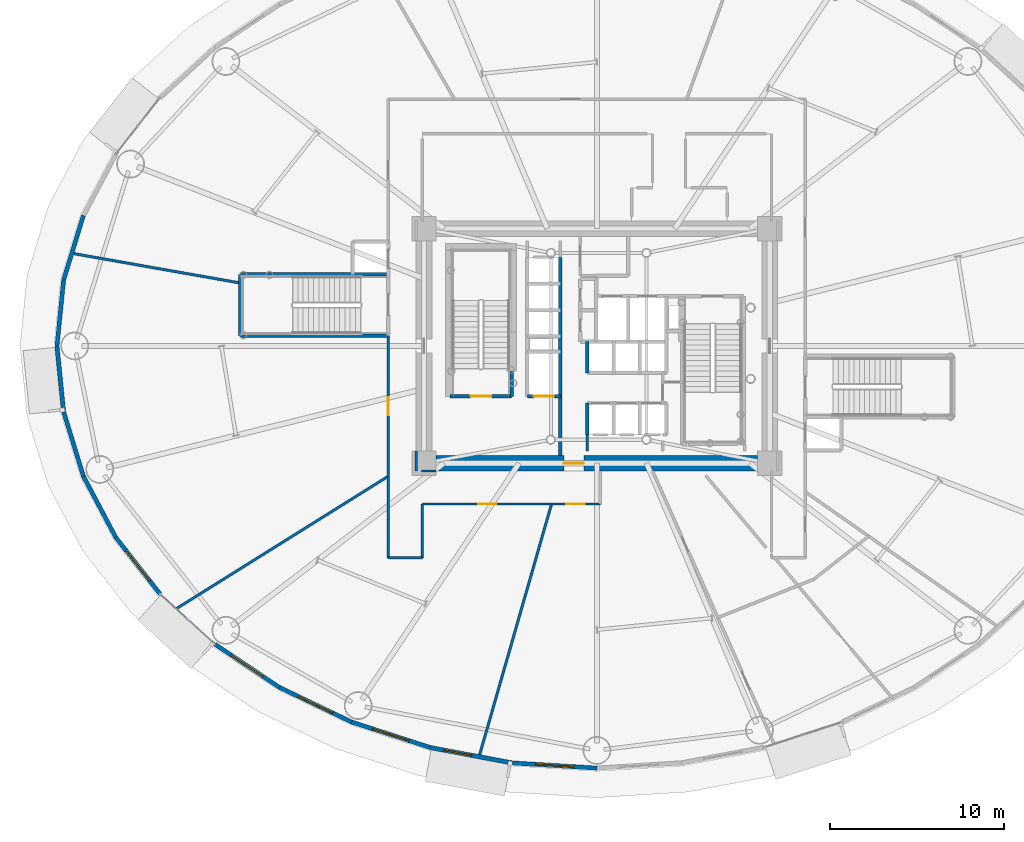
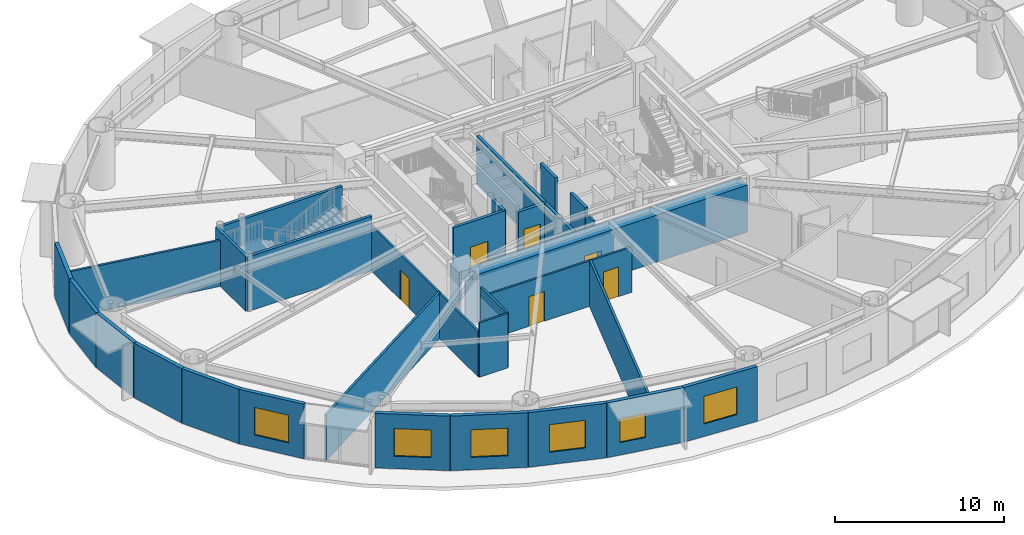
# One storey, part 19 of 35: 31 walls, 6 doors, 6 windows, 12 openings.
"""IFC4 building model written with IfcOpenShell, lengths in metres."""

from ifc_helpers import new_model, si_unit, direction, frame, frame_2d, origin, origin_2d, place, context, subcontext, project, spatial, rectangle, extrude, source, transform, mapped, material, layer, layer_set, type_object, element, fill, save


model = new_model("IFC4")

# Units and contexts
model_context = context("Model", 3, precision=1e-05, world=origin(), true_north=direction((0.0, 1.0)))
body_context = subcontext(model_context, "Body", "Model", "MODEL_VIEW")
ifc_project = project(units=[si_unit("LENGTHUNIT", "METRE"), si_unit("AREAUNIT", "SQUARE_METRE"), si_unit("VOLUMEUNIT", "CUBIC_METRE"), si_unit("PLANEANGLEUNIT", "RADIAN"), si_unit("MASSUNIT", "GRAM", prefix="KILO")], contexts=[model_context])

# Site, building, storey
site_placement = place(None, origin())
site = spatial("IfcSite", under=ifc_project, at=site_placement, CompositionType="ELEMENT")
building_placement = place(site_placement, origin())
building = spatial("IfcBuilding", under=site, at=building_placement, Name="Linh Dai School and Residence Tower", CompositionType="ELEMENT")
storey_placement = place(building_placement, frame((0.0, 0.0, 32.39990234375)))
storey = spatial("IfcBuildingStorey", under=building, at=storey_placement, Name="L07", CompositionType="ELEMENT", Elevation=32.39990234375)

# Walls
ifc_material_1 = material(Name="Precast Concrete B45 (C35/45)", Category="concrete")
ifc_layer_1 = layer(ifc_material_1, 0.25)
ifc_layer_set_1 = layer_set([ifc_layer_1], Name="Precast Concrete B45 (C35/45)")
wall_type_1 = type_object("IfcWallType", Name="EW-TC-250", PredefinedType="SOLIDWALL", material=ifc_layer_set_1)
wall_1_placement = place(storey_placement, frame((5.306640625, 30.796875, 0.0), z_axis=(0.0, 0.0, 1.0), x_axis=(0.293111631758, 0.956078224482, 0.0)))
element("IfcWall", 1, at=wall_1_placement, inside=storey, type_object=wall_type_1, Name="L07 Terracotta Exterior Wall 19", PredefinedType="SOLIDWALL", context=body_context, shape_type="SweptSolid", body=[
    extrude(rectangle(XDim=3.874755859375, YDim=0.25, at=frame_2d((1.9375, 0.0))), origin(), (0.0, 0.0, 1.0), 3.9501953125),
])
for number, where, z_axis, x_axis, name in (
    (2, (4.925048828125, 27.0, 0.0), (0.0, 0.0, 1.0), (0.099997795174, 0.994987658698, 0.0), "L07 Terracotta Exterior Wall 20"),
    (3, (5.306640625, 23.203125, 0.0), (0.0, 0.0, 1.0), (-0.099997795174, 0.994987658698, 0.0), "L07 Terracotta Exterior Wall 21"),
):
    element("IfcWall", number, at=place(storey_placement, frame(where, z_axis=z_axis, x_axis=x_axis)), inside=storey, type_object=wall_type_1, Name=name, PredefinedType="SOLIDWALL", context=body_context, shape_type="SweptSolid", body=[
        extrude(rectangle(XDim=3.81591796875, YDim=0.25, at=frame_2d((1.907958984375, 0.0))), origin(), (0.0, 0.0, 1.0), 3.9501953125),
    ])
wall_2_placement = place(storey_placement, frame((6.4423828125, 19.49853515625, 0.0), z_axis=(0.0, 0.0, 1.0), x_axis=(-0.293111631758, 0.956078224482, 0.0)))
element("IfcWall", 4, at=wall_2_placement, inside=storey, type_object=wall_type_1, Name="L07 Terracotta Exterior Wall 22", PredefinedType="SOLIDWALL", context=body_context, shape_type="SweptSolid", body=[
    extrude(rectangle(XDim=3.874755859375, YDim=0.25, at=frame_2d((1.9375, 0.0))), origin(), (0.0, 0.0, 1.0), 3.9501953125),
])
wall_3_placement = place(storey_placement, frame((8.305419921875, 15.977294921875, 0.0), z_axis=(0.0, 0.0, 1.0), x_axis=(-0.467662443071, 0.883907144072, 0.0)))
element("IfcWall", 5, at=wall_3_placement, inside=storey, type_object=wall_type_1, Name="L07 Terracotta Exterior Wall 23", PredefinedType="SOLIDWALL", context=body_context, shape_type="SweptSolid", body=[
    extrude(rectangle(XDim=3.983642578125, YDim=0.25, at=frame_2d((1.99169921875, 0.0))), origin(), (0.0, 0.0, 1.0), 3.9501953125),
])

# Wall, opening, window
wall_4_placement = place(storey_placement, frame((10.850341796875, 12.725341796875, 0.0), z_axis=(0.0, 0.0, 1.0), x_axis=(-0.616295508253, 0.787514981767, 0.0)))
wall_4 = element("IfcWall", 6, at=wall_4_placement, inside=storey, type_object=wall_type_1, Name="L07 Terracotta Exterior Wall 24", PredefinedType="SOLIDWALL", context=body_context, shape_type="SweptSolid", body=[
    extrude(rectangle(XDim=4.12939453125, YDim=0.25, at=frame_2d((2.064697265625, 0.0))), origin(), (0.0, 0.0, 1.0), 3.9501953125),
])
opening_1_placement = place(wall_4_placement, frame((0.964599609375, 0.0, 0.89990234375)))
opening_1 = element("IfcOpeningElement", 7, at=opening_1_placement, cuts=wall_4, Name="Opening W4", PredefinedType="OPENING", context=body_context, shape_type="SweptSolid", body=[
    extrude(rectangle(XDim=2.199951171875, YDim=2.0, at=origin_2d()), frame((1.10009765625, 0.135009765625, 1.0), z_axis=(0.0, -1.0, 0.0), x_axis=(1.0, 0.0, 0.0)), (0.0, 0.0, 1.0), 0.27001953125),
])
ifc_material_2 = material(Name="Acoustic Laminated Low-E Glazing", Category="glass")
window_type_1 = type_object("IfcWindowType", Name="WN-SCH-2200x2000", PartitioningType="TRIPLE_PANEL_VERTICAL", PredefinedType="WINDOW", material=ifc_material_2)
shared_shape_1 = source(origin(), body_context, "Body", "SweptSolid", [
    extrude(rectangle(XDim=2.199951171875, YDim=2.0, at=origin_2d()), frame((1.10009765625, 0.030029296875, 1.0), z_axis=(0.0, -1.0, 0.0), x_axis=(1.0, 0.0, 0.0)), (0.0, 0.0, 1.0), 0.06005859375),
])
window_1_placement = place(opening_1_placement, origin())
window_1 = element("IfcWindow", 8, at=window_1_placement, inside=storey, type_object=window_type_1, Name="L07 Exterior Window 24.1", OverallHeight=2.0, OverallWidth=2.199951171875, PartitioningType="TRIPLE_PANEL_VERTICAL", PredefinedType="WINDOW", context=body_context, shape_type="MappedRepresentation", body=[
    mapped(shared_shape_1, transform((0.0, 0.0, 0.0), x_axis=(1.0, 0.0, 0.0), y_axis=(0.0, 1.0, 0.0), z_axis=(0.0, 0.0, 1.0), scale=1.0)),
])
fill(opening_1, window_1)

wall_5_placement = place(storey_placement, frame((17.722900390625, 7.34423828125, 0.0), z_axis=(0.0, 0.0, 1.0), x_axis=(-0.831240982525, 0.555912249343, 0.0)))
wall_5 = element("IfcWall", 9, at=wall_5_placement, inside=storey, type_object=wall_type_1, Name="L07 Terracotta Exterior Wall 26", PredefinedType="SOLIDWALL", context=body_context, shape_type="SweptSolid", body=[
    extrude(rectangle(XDim=4.460205078125, YDim=0.25, at=frame_2d((2.22998046875, 0.0))), origin(), (0.0, 0.0, 1.0), 3.9501953125),
])
opening_2_placement = place(wall_5_placement, frame((1.1298828125, 0.0, 0.89990234375)))
opening_2 = element("IfcOpeningElement", 10, at=opening_2_placement, cuts=wall_5, Name="Opening W4", PredefinedType="OPENING", context=body_context, shape_type="SweptSolid", body=[
    extrude(rectangle(XDim=2.199951171875, YDim=2.0, at=origin_2d()), frame((1.10009765625, 0.135009765625, 1.0), z_axis=(0.0, -1.0, 0.0), x_axis=(1.0, 0.0, 0.0)), (0.0, 0.0, 1.0), 0.27001953125),
])
window_2_placement = place(opening_2_placement, origin())
window_2 = element("IfcWindow", 11, at=window_2_placement, inside=storey, type_object=window_type_1, Name="L07 Exterior Window 26.1", OverallHeight=2.0, OverallWidth=2.199951171875, PartitioningType="TRIPLE_PANEL_VERTICAL", PredefinedType="WINDOW", context=body_context, shape_type="MappedRepresentation", body=[
    mapped(shared_shape_1, transform((0.0, 0.0, 0.0), x_axis=(1.0, 0.0, 0.0), y_axis=(0.0, 1.0, 0.0), z_axis=(0.0, 0.0, 1.0), scale=1.0)),
])
fill(opening_2, window_2)

wall_6_placement = place(storey_placement, frame((21.8818359375, 5.348876953125, 0.0), z_axis=(0.0, 0.0, 1.0), x_axis=(-0.901601503137, 0.432567601123, 0.0)))
wall_6 = element("IfcWall", 12, at=wall_6_placement, inside=storey, type_object=wall_type_1, Name="L07 Terracotta Exterior Wall 27", PredefinedType="SOLIDWALL", context=body_context, shape_type="SweptSolid", body=[
    extrude(rectangle(XDim=4.61279296875, YDim=0.25, at=frame_2d((2.306396484375, 0.0))), origin(), (0.0, 0.0, 1.0), 3.9501953125),
])
opening_3_placement = place(wall_6_placement, frame((1.206298828125, 0.0, 0.89990234375)))
opening_3 = element("IfcOpeningElement", 13, at=opening_3_placement, cuts=wall_6, Name="Opening W4", PredefinedType="OPENING", context=body_context, shape_type="SweptSolid", body=[
    extrude(rectangle(XDim=2.199951171875, YDim=2.0, at=origin_2d()), frame((1.10009765625, 0.135009765625, 1.0), z_axis=(0.0, -1.0, 0.0), x_axis=(1.0, 0.0, 0.0)), (0.0, 0.0, 1.0), 0.27001953125),
])
window_3_placement = place(opening_3_placement, origin())
window_3 = element("IfcWindow", 14, at=window_3_placement, inside=storey, type_object=window_type_1, Name="L07 Exterior Window 27.1", OverallHeight=2.0, OverallWidth=2.199951171875, PartitioningType="TRIPLE_PANEL_VERTICAL", PredefinedType="WINDOW", context=body_context, shape_type="MappedRepresentation", body=[
    mapped(shared_shape_1, transform((0.0, 0.0, 0.0), x_axis=(1.0, 0.0, 0.0), y_axis=(0.0, 1.0, 0.0), z_axis=(0.0, 0.0, 1.0), scale=1.0)),
])
fill(opening_3, window_3)

wall_7_placement = place(storey_placement, frame((26.389404296875, 3.88671875, 0.0), z_axis=(0.0, 0.0, 1.0), x_axis=(-0.951207699013, 0.308551313946, 0.0)))
wall_7 = element("IfcWall", 15, at=wall_7_placement, inside=storey, type_object=wall_type_1, Name="L07 Terracotta Exterior Wall 28", PredefinedType="SOLIDWALL", context=body_context, shape_type="SweptSolid", body=[
    extrude(rectangle(XDim=4.73876953125, YDim=0.25, at=frame_2d((2.369384765625, 0.0))), origin(), (0.0, 0.0, 1.0), 3.9501953125),
])
opening_4_placement = place(wall_7_placement, frame((1.269287109375, 0.0, 0.89990234375)))
opening_4 = element("IfcOpeningElement", 16, at=opening_4_placement, cuts=wall_7, Name="Opening W4", PredefinedType="OPENING", context=body_context, shape_type="SweptSolid", body=[
    extrude(rectangle(XDim=2.199951171875, YDim=2.0, at=origin_2d()), frame((1.10009765625, 0.135009765625, 1.0), z_axis=(0.0, -1.0, 0.0), x_axis=(1.0, 0.0, 0.0)), (0.0, 0.0, 1.0), 0.27001953125),
])
window_4_placement = place(opening_4_placement, origin())
window_4 = element("IfcWindow", 17, at=window_4_placement, inside=storey, type_object=window_type_1, Name="L07 Exterior Window 28.1", OverallHeight=2.0, OverallWidth=2.199951171875, PartitioningType="TRIPLE_PANEL_VERTICAL", PredefinedType="WINDOW", context=body_context, shape_type="MappedRepresentation", body=[
    mapped(shared_shape_1, transform((0.0, 0.0, 0.0), x_axis=(1.0, 0.0, 0.0), y_axis=(0.0, 1.0, 0.0), z_axis=(0.0, 0.0, 1.0), scale=1.0)),
])
fill(opening_4, window_4)

wall_8_placement = place(storey_placement, frame((31.134521484375, 2.994873046875, 0.0), z_axis=(0.0, 0.0, 1.0), x_axis=(-0.982791952378, 0.184715939598, 0.0)))
wall_8 = element("IfcWall", 18, at=wall_8_placement, inside=storey, type_object=wall_type_1, Name="L07 Terracotta Exterior Wall 29", PredefinedType="SOLIDWALL", context=body_context, shape_type="SweptSolid", body=[
    extrude(rectangle(XDim=4.828125, YDim=0.25, at=frame_2d((2.4140625, 0.0))), origin(), (0.0, 0.0, 1.0), 3.9501953125),
])
opening_5_placement = place(wall_8_placement, frame((2.388427734375, 0.0, 0.89990234375)))
opening_5 = element("IfcOpeningElement", 19, at=opening_5_placement, cuts=wall_8, Name="Opening W2", PredefinedType="OPENING", context=body_context, shape_type="SweptSolid", body=[
    extrude(rectangle(XDim=1.60009765625, YDim=1.75, at=origin_2d()), frame((0.800048828125, 0.135009765625, 0.875), z_axis=(0.0, -1.0, 0.0), x_axis=(1.0, 0.0, 0.0)), (0.0, 0.0, 1.0), 0.27001953125),
])
ifc_material_3 = material(Name="Double Low-E Insulated Glazing", Category="glass")
window_type_2 = type_object("IfcWindowType", Name="WN-RES-1600x1750", PartitioningType="DOUBLE_PANEL_VERTICAL", PredefinedType="WINDOW", material=ifc_material_3)
shared_shape_2 = source(origin(), body_context, "Body", "SweptSolid", [
    extrude(rectangle(XDim=1.60009765625, YDim=1.75, at=origin_2d()), frame((0.800048828125, 0.030029296875, 0.875), z_axis=(0.0, -1.0, 0.0), x_axis=(1.0, 0.0, 0.0)), (0.0, 0.0, 1.0), 0.06005859375),
])
window_5_placement = place(opening_5_placement, origin())
window_5 = element("IfcWindow", 20, at=window_5_placement, inside=storey, type_object=window_type_2, Name="L07 Exterior Window 29.1", OverallHeight=1.75, OverallWidth=1.60009765625, PartitioningType="DOUBLE_PANEL_VERTICAL", PredefinedType="WINDOW", context=body_context, shape_type="MappedRepresentation", body=[
    mapped(shared_shape_2, transform((0.0, 0.0, 0.0), x_axis=(1.0, 0.0, 0.0), y_axis=(0.0, 1.0, 0.0), z_axis=(0.0, 0.0, 1.0), scale=1.0)),
])
fill(opening_5, window_5)

wall_9_placement = place(storey_placement, frame((36.0, 2.695068359375, 0.0), z_axis=(0.0, 0.0, 1.0), x_axis=(-0.998106954071, 0.061502099433, 0.0)))
wall_9 = element("IfcWall", 21, at=wall_9_placement, inside=storey, type_object=wall_type_1, Name="L07 Terracotta Exterior Wall 30", PredefinedType="SOLIDWALL", context=body_context, shape_type="SweptSolid", body=[
    extrude(rectangle(XDim=4.874755859375, YDim=0.25, at=frame_2d((2.4375, 0.0))), origin(), (0.0, 0.0, 1.0), 3.9501953125),
])
opening_6_placement = place(wall_9_placement, frame((1.33740234375, 0.0, 0.89990234375)))
opening_6 = element("IfcOpeningElement", 22, at=opening_6_placement, cuts=wall_9, Name="Opening W4", PredefinedType="OPENING", context=body_context, shape_type="SweptSolid", body=[
    extrude(rectangle(XDim=2.199951171875, YDim=2.0, at=origin_2d()), frame((1.10009765625, 0.135009765625, 1.0), z_axis=(0.0, -1.0, 0.0), x_axis=(1.0, 0.0, 0.0)), (0.0, 0.0, 1.0), 0.27001953125),
])
window_6_placement = place(opening_6_placement, origin())
window_6 = element("IfcWindow", 23, at=window_6_placement, inside=storey, type_object=window_type_1, Name="L07 Exterior Window 30.1", OverallHeight=2.0, OverallWidth=2.199951171875, PartitioningType="TRIPLE_PANEL_VERTICAL", PredefinedType="WINDOW", context=body_context, shape_type="MappedRepresentation", body=[
    mapped(shared_shape_1, transform((0.0, 0.0, 0.0), x_axis=(1.0, 0.0, 0.0), y_axis=(0.0, 1.0, 0.0), z_axis=(0.0, 0.0, 1.0), scale=1.0)),
])
fill(opening_6, window_6)

# Wall, opening, door
ifc_material_4 = material(Name="Autoclaved Aerated Concrete Blockwork", Category="masonry")
ifc_layer_2 = layer(ifc_material_4, 0.135009765625)
ifc_layer_set_2 = layer_set([ifc_layer_2], Name="Autoclaved Aerated Concrete Blockwork")
wall_type_2 = type_object("IfcWallType", Name="IW-CORR-135-EI90", PredefinedType="PARTITIONING", material=ifc_layer_set_2)
wall_10_placement = place(storey_placement, frame((24.0, 14.800048828125, 0.0), z_axis=(0.0, 0.0, 1.0), x_axis=(0.0, 1.0, 0.0)))
wall_10 = element("IfcWall", 24, at=wall_10_placement, inside=storey, type_object=wall_type_2, Name="L07 Interior Partition Wall 009", PredefinedType="PARTITIONING", context=body_context, shape_type="SweptSolid", body=[
    extrude(rectangle(XDim=12.780029296875, YDim=0.135009765625, at=frame_2d((6.39013671875, 0.0))), origin(), (0.0, 0.0, 1.0), 3.28515625),
])
opening_7_placement = place(wall_10_placement, frame((8.19580078125, 0.0, 0.0)))
opening_7 = element("IfcOpeningElement", 25, at=opening_7_placement, cuts=wall_10, Name="Opening D04", PredefinedType="OPENING", context=body_context, shape_type="SweptSolid", body=[
    extrude(rectangle(XDim=1.050048828125, YDim=2.14990234375, at=origin_2d()), frame((0.52490234375, 0.07763671875, 1.074951171875), z_axis=(0.0, -1.0, 0.0), x_axis=(1.0, 0.0, 0.0)), (0.0, 0.0, 1.0), 0.155029296875),
])
ifc_material_5 = material(Name="Acoustic Vision-Panel Timber Classroom Door", Category="wood")
door_type_1 = type_object("IfcDoorType", Name="DR-SCH-1050x2150-FD60S", OperationType="NOTDEFINED", PredefinedType="DOOR", material=ifc_material_5)
shared_shape_3 = source(origin(), body_context, "Body", "SweptSolid", [
    extrude(rectangle(XDim=1.050048828125, YDim=2.14990234375, at=origin_2d()), frame((0.52490234375, 0.02490234375, 1.074951171875), z_axis=(0.0, -1.0, 0.0), x_axis=(1.0, 0.0, 0.0)), (0.0, 0.0, 1.0), 0.050048828125),
])
door_1_placement = place(opening_7_placement, origin())
door_1 = element("IfcDoor", 26, at=door_1_placement, inside=storey, type_object=door_type_1, Name="L07 Senior Classroom A Door", OperationType="SINGLE_SWING_LEFT", OverallHeight=2.14990234375, OverallWidth=1.050048828125, PredefinedType="DOOR", context=body_context, shape_type="MappedRepresentation", body=[
    mapped(shared_shape_3, transform((0.0, 0.0, 0.0), x_axis=(1.0, 0.0, 0.0), y_axis=(0.0, 1.0, 0.0), z_axis=(0.0, 0.0, 1.0), scale=1.0)),
])
fill(opening_7, door_1)

# Walls
wall_11_placement = place(storey_placement, frame((24.0, 14.800048828125, 0.0), z_axis=(0.0, 0.0, 1.0), x_axis=(1.0, 0.0, 0.0)))
element("IfcWall", 27, at=wall_11_placement, inside=storey, type_object=wall_type_2, Name="L07 Interior Partition Wall 010", PredefinedType="PARTITIONING", context=body_context, shape_type="SweptSolid", body=[
    extrude(rectangle(XDim=1.949951171875, YDim=0.135009765625, at=frame_2d((0.97509765625, 0.0))), origin(), (0.0, 0.0, 1.0), 3.9501953125),
])
wall_12_placement = place(storey_placement, frame((25.949951171875, 14.800048828125, 0.0), z_axis=(0.0, 0.0, 1.0), x_axis=(0.0, 1.0, 0.0)))
element("IfcWall", 28, at=wall_12_placement, inside=storey, type_object=wall_type_2, Name="L07 Interior Partition Wall 014", PredefinedType="PARTITIONING", context=body_context, shape_type="SweptSolid", body=[
    extrude(rectangle(XDim=3.099853515625, YDim=0.135009765625, at=frame_2d((1.5498046875, 0.0))), origin(), (0.0, 0.0, 1.0), 3.9501953125),
])

# Wall, openings, doors
wall_13_placement = place(storey_placement, frame((25.949951171875, 17.89990234375, 0.0), z_axis=(0.0, 0.0, 1.0), x_axis=(1.0, 0.0, 0.0)))
wall_13 = element("IfcWall", 29, at=wall_13_placement, inside=storey, type_object=wall_type_2, Name="L07 Interior Partition Wall 015", PredefinedType="PARTITIONING", context=body_context, shape_type="SweptSolid", body=[
    extrude(rectangle(XDim=10.25, YDim=0.135009765625, at=frame_2d((5.125, 0.0))), origin(), (0.0, 0.0, 1.0), 3.28515625),
])
opening_8_placement = place(wall_13_placement, frame((3.21533203125, 0.0, 0.0)))
opening_8 = element("IfcOpeningElement", 30, at=opening_8_placement, cuts=wall_13, Name="Opening D04", PredefinedType="OPENING", context=body_context, shape_type="SweptSolid", body=[
    extrude(rectangle(XDim=1.050048828125, YDim=2.14990234375, at=origin_2d()), frame((0.52490234375, 0.07763671875, 1.074951171875), z_axis=(0.0, -1.0, 0.0), x_axis=(1.0, 0.0, 0.0)), (0.0, 0.0, 1.0), 0.155029296875),
])
opening_9_placement = place(wall_13_placement, frame((8.30029296875, 0.0, 0.0)))
opening_9 = element("IfcOpeningElement", 31, at=opening_9_placement, cuts=wall_13, Name="Opening D04", PredefinedType="OPENING", context=body_context, shape_type="SweptSolid", body=[
    extrude(rectangle(XDim=1.050048828125, YDim=2.14990234375, at=origin_2d()), frame((0.52490234375, 0.07763671875, 1.074951171875), z_axis=(0.0, -1.0, 0.0), x_axis=(1.0, 0.0, 0.0)), (0.0, 0.0, 1.0), 0.155029296875),
])
door_2_placement = place(opening_8_placement, origin())
door_2 = element("IfcDoor", 32, at=door_2_placement, inside=storey, type_object=door_type_1, Name="L07 Senior Classroom B Door", OperationType="SINGLE_SWING_RIGHT", OverallHeight=2.14990234375, OverallWidth=1.050048828125, PredefinedType="DOOR", context=body_context, shape_type="MappedRepresentation", body=[
    mapped(shared_shape_3, transform((0.0, 0.0, 0.0), x_axis=(1.0, 0.0, 0.0), y_axis=(0.0, 1.0, 0.0), z_axis=(0.0, 0.0, 1.0), scale=1.0)),
])
fill(opening_8, door_2)
door_3_placement = place(opening_9_placement, origin())
door_3 = element("IfcDoor", 33, at=door_3_placement, inside=storey, type_object=door_type_1, Name="L07 Senior Classroom C Door", OperationType="SINGLE_SWING_LEFT", OverallHeight=2.14990234375, OverallWidth=1.050048828125, PredefinedType="DOOR", context=body_context, shape_type="MappedRepresentation", body=[
    mapped(shared_shape_3, transform((0.0, 0.0, 0.0), x_axis=(1.0, 0.0, 0.0), y_axis=(0.0, 1.0, 0.0), z_axis=(0.0, 0.0, 1.0), scale=1.0)),
])
fill(opening_9, door_3)

# Walls
wall_14_placement = place(storey_placement, frame((35.449951171875, 21.889892578125, 0.0), z_axis=(0.0, 0.0, 1.0), x_axis=(0.0, -1.0, 0.0)))
element("IfcWall", 34, at=wall_14_placement, inside=storey, type_object=wall_type_2, Name="L07 Interior Partition Wall 079", PredefinedType="PARTITIONING", context=body_context, shape_type="SweptSolid", body=[
    extrude(rectangle(XDim=0.929931640625, YDim=0.135009765625, at=frame_2d((0.46484375, 0.0))), origin(), (0.0, 0.0, 1.0), 3.53515625),
])
wall_15_placement = place(storey_placement, frame((25.60009765625, 20.93994140625, 0.0), z_axis=(0.0, 0.0, 1.0), x_axis=(0.0, -1.0, 0.0)))
element("IfcWall", 35, at=wall_15_placement, inside=storey, type_object=wall_type_2, Name="L07 Interior Partition Wall 095", PredefinedType="PARTITIONING", context=body_context, shape_type="SweptSolid", body=[
    extrude(rectangle(XDim=1.139892578125, YDim=0.135009765625, at=frame_2d((0.56982421875, 0.0))), origin(), (0.0, 0.0, 1.0), 3.9501953125),
])
wall_16_placement = place(storey_placement, frame((25.907470703125, 19.800048828125, 0.0), z_axis=(0.0, 0.0, 1.0), x_axis=(1.0, 0.0, 0.0)))
element("IfcWall", 36, at=wall_16_placement, inside=storey, type_object=wall_type_2, Name="L07 Interior Partition Wall 096", PredefinedType="PARTITIONING", context=body_context, shape_type="SweptSolid", body=[
    extrude(rectangle(XDim=0.83251953125, YDim=0.135009765625, at=frame_2d((0.416259765625, 0.0))), origin(), (0.0, 0.0, 1.0), 3.28515625),
])
ifc_layer_3 = layer(ifc_material_4, 0.14990234375)
ifc_layer_set_3 = layer_set([ifc_layer_3], Name="Autoclaved Aerated Concrete Blockwork")
wall_type_3 = type_object("IfcWallType", Name="IW-SCH-150-EI60", PredefinedType="PARTITIONING", material=ifc_layer_set_3)
wall_17_placement = place(storey_placement, frame((5.771484375, 32.330078125, 0.0), z_axis=(0.0, 0.0, 1.0), x_axis=(0.984806985247, -0.173652531825, 0.0)))
element("IfcWall", 37, at=wall_17_placement, inside=storey, type_object=wall_type_3, Name="L07 Interior Partition Wall 001", PredefinedType="PARTITIONING", context=body_context, shape_type="SweptSolid", body=[
    extrude(rectangle(XDim=9.858154296875, YDim=0.14990234375, at=frame_2d((4.92919921875, 0.0))), origin(), (0.0, 0.0, 1.0), 3.335205078125),
])
wall_18_placement = place(storey_placement, frame((11.780517578125, 11.865966796875, 0.0), z_axis=(0.0, 0.0, 1.0), x_axis=(0.848050654091, 0.52991517066, 0.0)))
element("IfcWall", 38, at=wall_18_placement, inside=storey, type_object=wall_type_3, Name="L07 Interior Partition Wall 002", PredefinedType="PARTITIONING", context=body_context, shape_type="SweptSolid", body=[
    extrude(rectangle(XDim=14.408935546875, YDim=0.14990234375, at=frame_2d((7.20458984375, 0.0))), origin(), (0.0, 0.0, 1.0), 3.335205078125),
])
wall_19_placement = place(storey_placement, frame((29.218505859375, 3.349853515625, 0.0), z_axis=(0.0, 0.0, 1.0), x_axis=(0.275634900318, 0.961262400038, 0.0)))
element("IfcWall", 39, at=wall_19_placement, inside=storey, type_object=wall_type_3, Name="L07 Interior Partition Wall 017", PredefinedType="PARTITIONING", context=body_context, shape_type="SweptSolid", body=[
    extrude(rectangle(XDim=15.136474609375, YDim=0.14990234375, at=frame_2d((7.568359375, 0.0))), origin(), (0.0, 0.0, 1.0), 3.335205078125),
])
ifc_material_6 = material(Name="Concrete B45 (C35/45)", Category="concrete")
ifc_layer_4 = layer(ifc_material_6, 0.199951171875)
ifc_layer_set_4 = layer_set([ifc_layer_4], Name="Concrete B45 (C35/45)")
wall_type_4 = type_object("IfcWallType", Name="IW-SHAFT-200-EI120", PredefinedType="PARTITIONING", material=ifc_layer_set_4)
wall_20_placement = place(storey_placement, frame((15.47998046875, 27.580078125, 0.0), z_axis=(0.0, 0.0, 1.0), x_axis=(0.0, 1.0, 0.0)))
element("IfcWall", 40, at=wall_20_placement, inside=storey, type_object=wall_type_4, Name="L07 Interior Partition Wall 003", PredefinedType="PARTITIONING", context=body_context, shape_type="SweptSolid", body=[
    extrude(rectangle(XDim=3.5400390625, YDim=0.199951171875, at=frame_2d((1.77001953125, 0.0))), origin(), (0.0, 0.0, 1.0), 3.9501953125),
])
for number, where, z_axis, x_axis, name in (
    (41, (15.47998046875, 27.580078125, 0.0), (0.0, 0.0, 1.0), (1.0, 0.0, 0.0), "L07 Interior Partition Wall 004"),
    (42, (15.47998046875, 31.1201171875, 0.0), (0.0, 0.0, 1.0), (1.0, 0.0, 0.0), "L07 Interior Partition Wall 005"),
):
    element("IfcWall", number, at=place(storey_placement, frame(where, z_axis=z_axis, x_axis=x_axis)), inside=storey, type_object=wall_type_4, Name=name, PredefinedType="PARTITIONING", context=body_context, shape_type="SweptSolid", body=[
        extrude(rectangle(XDim=8.52001953125, YDim=0.199951171875, at=frame_2d((4.260009765625, 0.0))), origin(), (0.0, 0.0, 1.0), 3.9501953125),
    ])

# Wall, opening, door
wall_21_placement = place(storey_placement, frame((27.56005859375, 24.10009765625, 0.0), z_axis=(0.0, 0.0, 1.0), x_axis=(1.0, 0.0, 0.0)))
wall_21 = element("IfcWall", 43, at=wall_21_placement, inside=storey, type_object=wall_type_4, Name="L07 Interior Partition Wall 016", PredefinedType="PARTITIONING", context=body_context, shape_type="SweptSolid", body=[
    extrude(rectangle(XDim=3.5400390625, YDim=0.199951171875, at=frame_2d((1.77001953125, 0.0))), origin(), (0.0, 0.0, 1.0), 3.9501953125),
])
opening_10_placement = place(wall_21_placement, frame((1.169921875, 0.0, 0.0)))
opening_10 = element("IfcOpeningElement", 44, at=opening_10_placement, cuts=wall_21, Name="Opening D01", PredefinedType="OPENING", context=body_context, shape_type="SweptSolid", body=[
    extrude(rectangle(XDim=1.199951171875, YDim=2.14990234375, at=origin_2d()), frame((0.60009765625, 0.10986328125, 1.074951171875), z_axis=(0.0, -1.0, 0.0), x_axis=(1.0, 0.0, 0.0)), (0.0, 0.0, 1.0), 0.219970703125),
])
ifc_material_7 = material(Name="Fire-Rated Steel Door Leaf", Category="steel")
door_type_2 = type_object("IfcDoorType", Name="DR-STAIR-1200x2150-FD90S", OperationType="NOTDEFINED", PredefinedType="DOOR", material=ifc_material_7)
shared_shape_4 = source(origin(), body_context, "Body", "SweptSolid", [
    extrude(rectangle(XDim=1.199951171875, YDim=2.14990234375, at=origin_2d()), frame((0.60009765625, 0.02490234375, 1.074951171875), z_axis=(0.0, -1.0, 0.0), x_axis=(1.0, 0.0, 0.0)), (0.0, 0.0, 1.0), 0.050048828125),
])
door_4_placement = place(opening_10_placement, origin())
door_4 = element("IfcDoor", 45, at=door_4_placement, inside=storey, type_object=door_type_2, Name="L07 Core Smokeproof Exit Stair ST1 Door", OperationType="SINGLE_SWING_LEFT", OverallHeight=2.14990234375, OverallWidth=1.199951171875, PredefinedType="DOOR", context=body_context, shape_type="MappedRepresentation", body=[
    mapped(shared_shape_4, transform((0.0, 0.0, 0.0), x_axis=(1.0, 0.0, 0.0), y_axis=(0.0, 1.0, 0.0), z_axis=(0.0, 0.0, 1.0), scale=1.0)),
])
fill(opening_10, door_4)

# Wall
wall_22_placement = place(storey_placement, frame((31.10009765625, 24.10009765625, 0.0), z_axis=(0.0, 0.0, 1.0), x_axis=(0.0, 1.0, 0.0)))
element("IfcWall", 46, at=wall_22_placement, inside=storey, type_object=wall_type_4, Name="L07 Interior Partition Wall 018", PredefinedType="PARTITIONING", context=body_context, shape_type="SweptSolid", body=[
    extrude(rectangle(XDim=1.43994140625, YDim=0.199951171875, at=frame_2d((0.719970703125, 0.0))), origin(), (0.0, 0.0, 1.0), 3.9501953125),
])

# Wall, opening, door
wall_23_placement = place(storey_placement, frame((32.0, 24.10009765625, 0.0), z_axis=(0.0, 0.0, 1.0), x_axis=(1.0, 0.0, 0.0)))
wall_23 = element("IfcWall", 47, at=wall_23_placement, inside=storey, type_object=wall_type_4, Name="L07 Interior Partition Wall 020", PredefinedType="PARTITIONING", context=body_context, shape_type="SweptSolid", body=[
    extrude(rectangle(XDim=1.89990234375, YDim=0.199951171875, at=frame_2d((0.949951171875, 0.0))), origin(), (0.0, 0.0, 1.0), 3.53515625),
])
opening_11_placement = place(wall_23_placement, frame((0.375, 0.0, 0.0)))
opening_11 = element("IfcOpeningElement", 48, at=opening_11_placement, cuts=wall_23, Name="Opening LD-FF2", PredefinedType="OPENING", context=body_context, shape_type="SweptSolid", body=[
    extrude(rectangle(XDim=1.14990234375, YDim=2.14990234375, at=origin_2d()), frame((0.574951171875, 0.10986328125, 1.074951171875), z_axis=(0.0, -1.0, 0.0), x_axis=(1.0, 0.0, 0.0)), (0.0, 0.0, 1.0), 0.219970703125),
])
ifc_material_8 = material(Name="Fire-Rated Stainless Steel Firefighting Lift Door", Category="steel")
door_type_3 = type_object("IfcDoorType", Name="DR-LD-FF-1150x2150-FD120", OperationType="DOUBLE_DOOR_SLIDING", PredefinedType="USERDEFINED", material=ifc_material_8)
shared_shape_5 = source(origin(), body_context, "Body", "SweptSolid", [
    extrude(rectangle(XDim=1.14990234375, YDim=2.14990234375, at=origin_2d()), frame((0.574951171875, 0.02490234375, 1.074951171875), z_axis=(0.0, -1.0, 0.0), x_axis=(1.0, 0.0, 0.0)), (0.0, 0.0, 1.0), 0.050048828125),
])
door_5_placement = place(opening_11_placement, origin())
door_5 = element("IfcDoor", 49, at=door_5_placement, inside=storey, type_object=door_type_3, Name="L07 Lift FF2 Sliding Landing Door", ObjectType="LANDING DOOR", OperationType="DOUBLE_DOOR_SLIDING", OverallHeight=2.14990234375, OverallWidth=1.14990234375, PredefinedType="USERDEFINED", context=body_context, shape_type="MappedRepresentation", body=[
    mapped(shared_shape_5, transform((0.0, 0.0, 0.0), x_axis=(1.0, 0.0, 0.0), y_axis=(0.0, 1.0, 0.0), z_axis=(0.0, 0.0, 1.0), scale=1.0)),
])
fill(opening_11, door_5)

# Walls
wall_24_placement = place(storey_placement, frame((33.89990234375, 20.699951171875, 0.0), z_axis=(0.0, 0.0, 1.0), x_axis=(0.0, 1.0, 0.0)))
element("IfcWall", 50, at=wall_24_placement, inside=storey, type_object=wall_type_4, Name="L07 Interior Partition Wall 025", PredefinedType="PARTITIONING", context=body_context, shape_type="SweptSolid", body=[
    extrude(rectangle(XDim=11.400146484375, YDim=0.199951171875, at=frame_2d((5.7001953125, 0.0))), origin(), (0.0, 0.0, 1.0), 3.53515625),
])
for number, where, z_axis, x_axis, name in (
    (51, (35.449951171875, 21.89990234375, 0.0), (0.0, 0.0, 1.0), (0.0, 1.0, 0.0), "L07 Interior Partition Wall 032"),
    (52, (35.449951171875, 25.449951171875, 0.0), (0.0, 0.0, 1.0), (0.0, 1.0, 0.0), "L07 Interior Partition Wall 034"),
):
    element("IfcWall", number, at=place(storey_placement, frame(where, z_axis=z_axis, x_axis=x_axis)), inside=storey, type_object=wall_type_4, Name=name, PredefinedType="PARTITIONING", context=body_context, shape_type="SweptSolid", body=[
        extrude(rectangle(XDim=1.800048828125, YDim=0.199951171875, at=frame_2d((0.89990234375, 0.0))), origin(), (0.0, 0.0, 1.0), 3.9501953125),
    ])

# Wall, opening, door
ifc_material_9 = material(Name="Concrete B60 (C50/60)", Category="concrete")
ifc_layer_5 = layer(ifc_material_9, 0.89990234375)
ifc_layer_set_5 = layer_set([ifc_layer_5], Name="Concrete B60 (C50/60)")
wall_type_5 = type_object("IfcWallType", Name="WL-CORE900", PredefinedType="SHEAR", material=ifc_layer_set_5)
wall_25_placement = place(storey_placement, frame((45.25, 20.25, 0.0), z_axis=(0.0, 0.0, 1.0), x_axis=(-1.0, 0.0, 0.0)))
wall_25 = element("IfcWall", 53, at=wall_25_placement, inside=storey, type_object=wall_type_5, Name="L07 Central Core Shear Wall S", PredefinedType="SHEAR", context=body_context, shape_type="SweptSolid", body=[
    extrude(rectangle(XDim=18.5, YDim=0.89990234375, at=frame_2d((9.25, 0.0))), origin(), (0.0, 0.0, 1.0), 3.400146484375),
])
opening_12_placement = place(wall_25_placement, frame((10.0, 0.0, 0.0)))
opening_12 = element("IfcOpeningElement", 54, at=opening_12_placement, cuts=wall_25, Name="Opening D02", PredefinedType="OPENING", context=body_context, shape_type="SweptSolid", body=[
    extrude(rectangle(XDim=1.14990234375, YDim=2.14990234375, at=origin_2d()), frame((0.574951171875, 0.4599609375, 1.074951171875), z_axis=(0.0, -1.0, 0.0), x_axis=(1.0, 0.0, 0.0)), (0.0, 0.0, 1.0), 0.919921875),
])
ifc_material_10 = material(Name="Fire-Rated Glazed Steel Lobby Door", Category="steel")
door_type_4 = type_object("IfcDoorType", Name="DR-LOBBY-1150x2150-FD90S", OperationType="NOTDEFINED", PredefinedType="DOOR", material=ifc_material_10)
shared_shape_6 = source(origin(), body_context, "Body", "SweptSolid", [
    extrude(rectangle(XDim=1.14990234375, YDim=2.14990234375, at=origin_2d()), frame((0.574951171875, 0.02490234375, 1.074951171875), z_axis=(0.0, -1.0, 0.0), x_axis=(1.0, 0.0, 0.0)), (0.0, 0.0, 1.0), 0.050048828125),
])
door_6_placement = place(opening_12_placement, origin())
door_6 = element("IfcDoor", 55, at=door_6_placement, inside=storey, type_object=door_type_4, Name="L07 Passenger Foyer Access Door", OperationType="SINGLE_SWING_RIGHT", OverallHeight=2.14990234375, OverallWidth=1.14990234375, PredefinedType="DOOR", context=body_context, shape_type="MappedRepresentation", body=[
    mapped(shared_shape_6, transform((0.0, 0.0, 0.0), x_axis=(1.0, 0.0, 0.0), y_axis=(0.0, 1.0, 0.0), z_axis=(0.0, 0.0, 1.0), scale=1.0)),
])
fill(opening_12, door_6)

save(model, "model.ifc")
